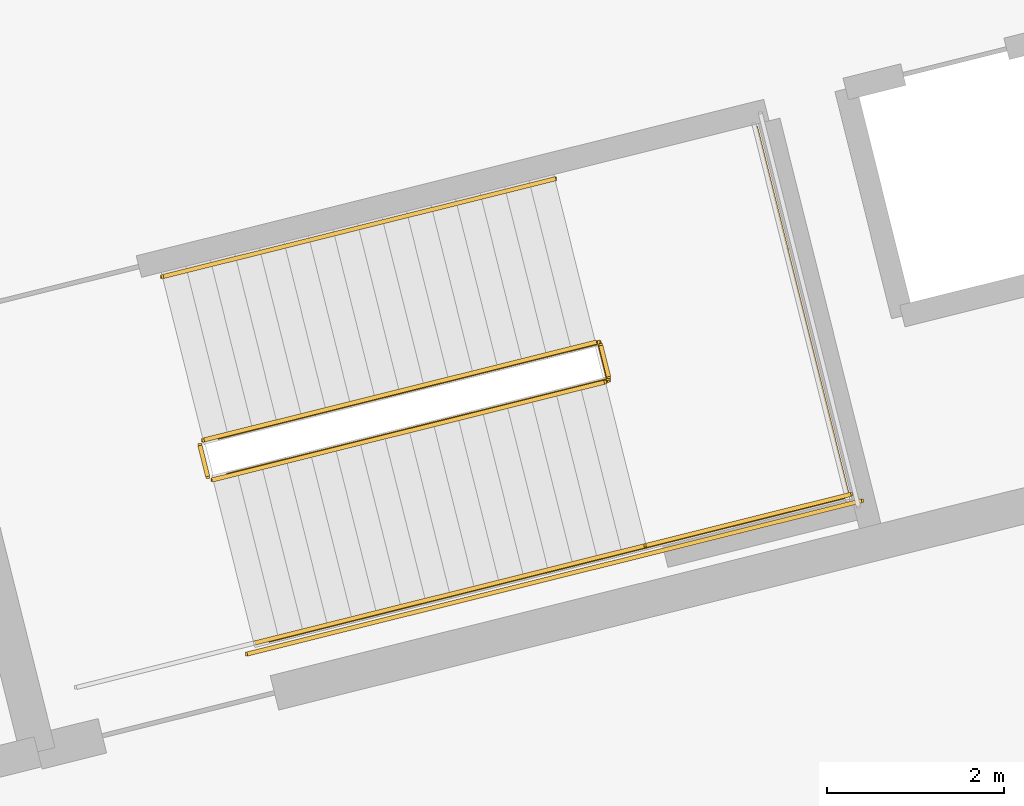
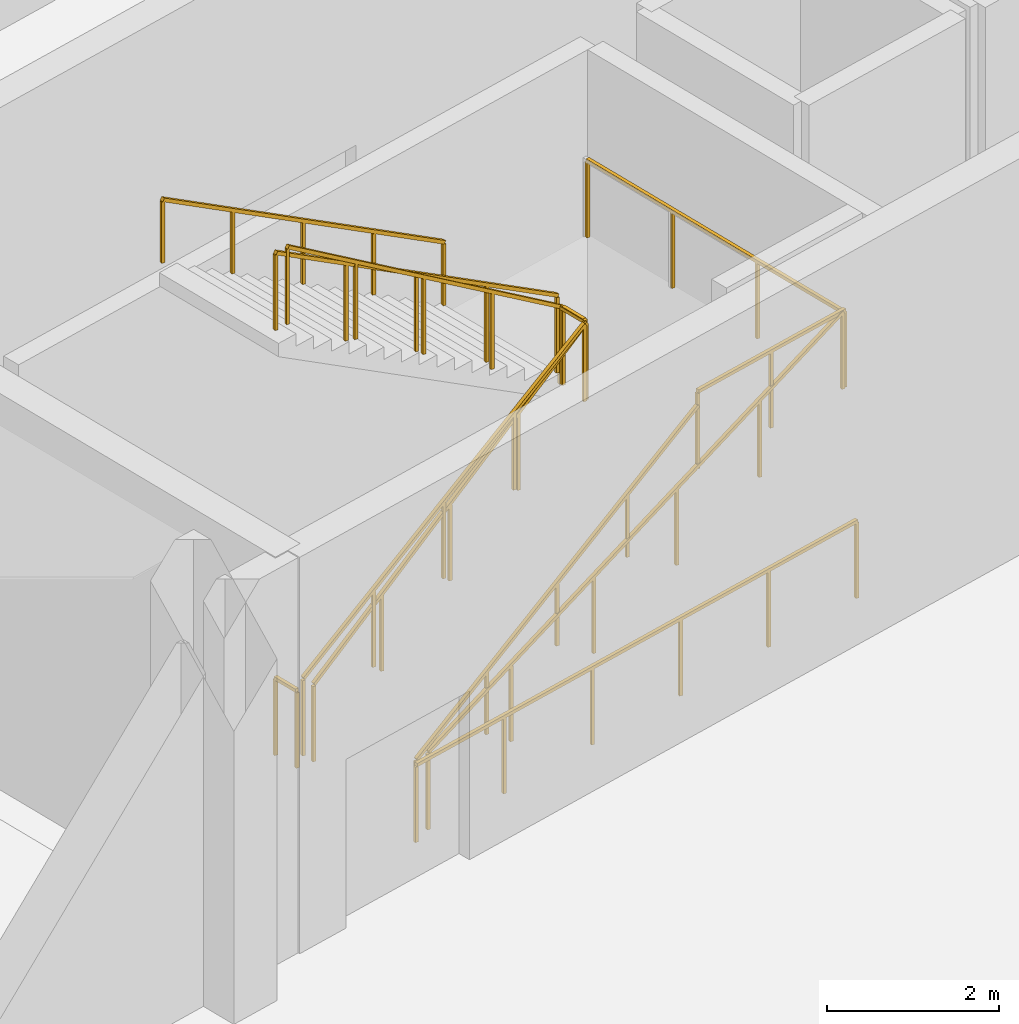
# One storey, part 155 of 163: 10 railings.
"""IFC4 building model written with IfcOpenShell, lengths in metres."""

from ifc_helpers import new_model, si_unit, direction, frame, origin, origin_2d, place, context, subcontext, project, spatial, rectangle, extrude, material, type_object, element, save


model = new_model("IFC4")

# Units and contexts
model_context = context("Model", 3, precision=1e-05, world=origin(), true_north=direction((0.0, 1.0)))
body_context = subcontext(model_context, "Body", "Model", "MODEL_VIEW")
ifc_project = project(units=[si_unit("LENGTHUNIT", "METRE"), si_unit("AREAUNIT", "SQUARE_METRE"), si_unit("VOLUMEUNIT", "CUBIC_METRE"), si_unit("PLANEANGLEUNIT", "RADIAN"), si_unit("MASSUNIT", "GRAM", prefix="KILO")], contexts=[model_context])

# Site, building, storey
site_placement = place(None, origin())
site = spatial("IfcSite", under=ifc_project, at=site_placement, CompositionType="ELEMENT")
building_placement = place(site_placement, origin())
building = spatial("IfcBuilding", under=site, at=building_placement, Name="Khorjan Park Terminus", CompositionType="ELEMENT")
storey_placement = place(building_placement, origin())
storey = spatial("IfcBuildingStorey", under=building, at=storey_placement, Name="L00", CompositionType="ELEMENT", Elevation=0.0)

# Railings
ifc_material = material(Name="Steel S355", Category="steel")
railing_type_1 = type_object("IfcRailingType", Name="GR-112", PredefinedType="GUARDRAIL", material=ifc_material)
railing_1_placement = place(storey_placement, frame((179.8138, 8.0206, 0.1765)))
element("IfcRailing", 1, at=railing_1_placement, inside=storey, type_object=railing_type_1, Name="L00 ST-03 stair guard 1", PredefinedType="GUARDRAIL", context=body_context, shape_type="SweptSolid", body=[
    extrude(rectangle(XDim=0.048, YDim=0.048, at=origin_2d()), frame((0.0, 0.0, 1.096), z_axis=(0.824952551277, 0.205692768577, 0.526444463449), x_axis=(-0.24193185783, 0.970293242359, 0.0)), (0.0, 0.0, 1.0), 5.3633),
    extrude(rectangle(XDim=0.042, YDim=0.042, at=origin_2d()), origin(), (0.0, 0.0, 1.0), 1.072),
    extrude(rectangle(XDim=0.042, YDim=0.042, at=origin_2d()), frame((1.1061, 0.2758, 0.7059)), (0.0, 0.0, 1.0), 1.072),
    extrude(rectangle(XDim=0.042, YDim=0.042, at=origin_2d()), frame((2.2123, 0.5516, 1.4118)), (0.0, 0.0, 1.0), 1.072),
    extrude(rectangle(XDim=0.042, YDim=0.042, at=origin_2d()), frame((3.3184, 0.8274, 2.1176)), (0.0, 0.0, 1.0), 1.072),
    extrude(rectangle(XDim=0.042, YDim=0.042, at=origin_2d()), frame((4.4245, 1.1032, 2.8235)), (0.0, 0.0, 1.0), 1.072),
])
railing_2_placement = place(storey_placement, frame((184.2747, 9.1844, 3.0)))
element("IfcRailing", 2, at=railing_2_placement, inside=storey, type_object=railing_type_1, Name="L00 ST-03 stair guard 2", PredefinedType="GUARDRAIL", context=body_context, shape_type="SweptSolid", body=[
    extrude(rectangle(XDim=0.048, YDim=0.048, at=origin_2d()), frame((0.0, 0.0, 1.096), z_axis=(-0.241947338122, 0.970289382388, 0.0), x_axis=(-0.970289382388, -0.241947338122, 0.0)), (0.0, 0.0, 1.0), 0.36),
    extrude(rectangle(XDim=0.042, YDim=0.042, at=origin_2d()), origin(), (0.0, 0.0, 1.0), 1.072),
    extrude(rectangle(XDim=0.042, YDim=0.042, at=origin_2d()), frame((-0.0871, 0.3493, 0.0)), (0.0, 0.0, 1.0), 1.072),
])
railing_3_placement = place(storey_placement, frame((184.698, 7.2802, 3.0)))
element("IfcRailing", 3, at=railing_3_placement, inside=storey, type_object=railing_type_1, Name="L00 ST-03 stair guard 3", PredefinedType="GUARDRAIL", context=body_context, shape_type="SweptSolid", body=[
    extrude(rectangle(XDim=0.048, YDim=0.048, at=origin_2d()), frame((0.0, 0.0, 1.096), z_axis=(0.970293078733, 0.241932514067, 0.0), x_axis=(-0.241932514067, 0.970293078733, 0.0)), (0.0, 0.0, 1.0), 2.38),
    extrude(rectangle(XDim=0.042, YDim=0.042, at=origin_2d()), origin(), (0.0, 0.0, 1.0), 1.072),
    extrude(rectangle(XDim=0.042, YDim=0.042, at=origin_2d()), frame((1.1546, 0.2879, 0.0)), (0.0, 0.0, 1.0), 1.072),
    extrude(rectangle(XDim=0.042, YDim=0.042, at=origin_2d()), frame((2.3093, 0.5758, 0.0)), (0.0, 0.0, 1.0), 1.072),
])
railing_4_placement = place(storey_placement, frame((184.127, 9.5701, 3.1765)))
element("IfcRailing", 4, at=railing_4_placement, inside=storey, type_object=railing_type_1, Name="L00 ST-03 stair guard 5", PredefinedType="GUARDRAIL", context=body_context, shape_type="SweptSolid", body=[
    extrude(rectangle(XDim=0.048, YDim=0.048, at=origin_2d()), frame((0.0, 0.0, 1.096), z_axis=(-0.824955714979, -0.205674912237, 0.52644648237), x_axis=(0.241911211243, -0.970298390123, 0.0)), (0.0, 0.0, 1.0), 5.3633),
    extrude(rectangle(XDim=0.042, YDim=0.042, at=origin_2d()), origin(), (0.0, 0.0, 1.0), 1.072),
    extrude(rectangle(XDim=0.042, YDim=0.042, at=origin_2d()), frame((-1.1061, -0.2758, 0.7059)), (0.0, 0.0, 1.0), 1.072),
    extrude(rectangle(XDim=0.042, YDim=0.042, at=origin_2d()), frame((-2.2123, -0.5515, 1.4118)), (0.0, 0.0, 1.0), 1.072),
    extrude(rectangle(XDim=0.042, YDim=0.042, at=origin_2d()), frame((-3.3184, -0.8273, 2.1176)), (0.0, 0.0, 1.0), 1.072),
    extrude(rectangle(XDim=0.042, YDim=0.042, at=origin_2d()), frame((-4.4245, -1.1031, 2.8235)), (0.0, 0.0, 1.0), 1.072),
])
railing_5_placement = place(storey_placement, frame((179.7532, 8.0571, 0.0)))
element("IfcRailing", 5, at=railing_5_placement, inside=storey, type_object=railing_type_1, Name="L00 ST-03 stair guard 6", PredefinedType="GUARDRAIL", context=body_context, shape_type="SweptSolid", body=[
    extrude(rectangle(XDim=0.048, YDim=0.048, at=origin_2d()), frame((0.0, 0.0, 1.096), z_axis=(-0.241947338122, 0.970289382388, 0.0), x_axis=(-0.970289382388, -0.241947338122, 0.0)), (0.0, 0.0, 1.0), 0.36),
    extrude(rectangle(XDim=0.042, YDim=0.042, at=origin_2d()), origin(), (0.0, 0.0, 1.0), 1.072),
    extrude(rectangle(XDim=0.042, YDim=0.042, at=origin_2d()), frame((-0.0871, 0.3493, 0.0)), (0.0, 0.0, 1.0), 1.072),
])
railing_6_placement = place(storey_placement, frame((180.2006, 6.0559, 0.0)))
element("IfcRailing", 6, at=railing_6_placement, inside=storey, type_object=railing_type_1, Name="L00 ST-03 stair guard 8", PredefinedType="GUARDRAIL", context=body_context, shape_type="SweptSolid", body=[
    extrude(rectangle(XDim=0.048, YDim=0.048, at=origin_2d()), frame((0.0, 0.0, 1.096), z_axis=(0.970296366402, 0.241919328178, 0.0), x_axis=(-0.241919328178, 0.970296366402, 0.0)), (0.0, 0.0, 1.0), 7.14),
    extrude(rectangle(XDim=0.042, YDim=0.042, at=origin_2d()), origin(), (0.0, 0.0, 1.0), 1.072),
    extrude(rectangle(XDim=0.042, YDim=0.042, at=origin_2d()), frame((1.3856, 0.3455, 0.0)), (0.0, 0.0, 1.0), 1.072),
    extrude(rectangle(XDim=0.042, YDim=0.042, at=origin_2d()), frame((2.7712, 0.6909, 0.0)), (0.0, 0.0, 1.0), 1.072),
    extrude(rectangle(XDim=0.042, YDim=0.042, at=origin_2d()), frame((4.1567, 1.0364, 0.0)), (0.0, 0.0, 1.0), 1.072),
    extrude(rectangle(XDim=0.042, YDim=0.042, at=origin_2d()), frame((5.5423, 1.3818, 0.0)), (0.0, 0.0, 1.0), 1.072),
    extrude(rectangle(XDim=0.042, YDim=0.042, at=origin_2d()), frame((6.9279, 1.7273, 0.0)), (0.0, 0.0, 1.0), 1.072),
])
railing_7_placement = place(storey_placement, frame((179.986, 8.0739, 0.0)))
element("IfcRailing", 7, at=railing_7_placement, inside=storey, type_object=railing_type_1, Name="Core K3 stair well slot guard GR-112 (L00)", PredefinedType="GUARDRAIL", context=body_context, shape_type="SweptSolid", body=[
    extrude(rectangle(XDim=0.048, YDim=0.048, at=origin_2d()), frame((0.0, 0.0, 1.096), z_axis=(0.802835291081, 0.200170629037, 0.561593460313), x_axis=(-0.241923385389, 0.970295354829, 0.0)), (0.0, 0.0, 1.0), 5.3419),
    extrude(rectangle(XDim=0.048, YDim=0.048, at=origin_2d()), frame((4.2887, 1.0693, 4.096), z_axis=(-0.241840311969, 0.970316063717, 0.0), x_axis=(-0.970316063717, -0.241840311969, 0.0)), (0.0, 0.0, 1.0), 0.44),
    extrude(rectangle(XDim=0.048, YDim=0.048, at=origin_2d()), frame((4.1823, 1.4962, 4.096), z_axis=(-0.80284194498, -0.200167620725, 0.561585020272), x_axis=(0.2419180747, -0.970296678925, 0.0)), (0.0, 0.0, 1.0), 5.342),
    extrude(rectangle(XDim=0.042, YDim=0.042, at=origin_2d()), origin(), (0.0, 0.0, 1.0), 1.072),
    extrude(rectangle(XDim=0.042, YDim=0.042, at=origin_2d()), frame((1.0722, 0.2673, 0.75)), (0.0, 0.0, 1.0), 1.072),
    extrude(rectangle(XDim=0.042, YDim=0.042, at=origin_2d()), frame((2.1444, 0.5347, 1.5)), (0.0, 0.0, 1.0), 1.072),
    extrude(rectangle(XDim=0.042, YDim=0.042, at=origin_2d()), frame((3.2165, 0.802, 2.25)), (0.0, 0.0, 1.0), 1.072),
    extrude(rectangle(XDim=0.042, YDim=0.042, at=origin_2d()), frame((4.2887, 1.0693, 3.0)), (0.0, 0.0, 1.0), 1.072),
    extrude(rectangle(XDim=0.042, YDim=0.042, at=origin_2d()), frame((4.1823, 1.4962, 3.0)), (0.0, 0.0, 1.0), 1.072),
    extrude(rectangle(XDim=0.042, YDim=0.042, at=origin_2d()), frame((3.1101, 1.2289, 3.75)), (0.0, 0.0, 1.0), 1.072),
    extrude(rectangle(XDim=0.042, YDim=0.042, at=origin_2d()), frame((2.0379, 0.9615, 4.5)), (0.0, 0.0, 1.0), 1.072),
    extrude(rectangle(XDim=0.042, YDim=0.042, at=origin_2d()), frame((0.9657, 0.6942, 5.25)), (0.0, 0.0, 1.0), 1.072),
    extrude(rectangle(XDim=0.042, YDim=0.042, at=origin_2d()), frame((-0.1065, 0.4269, 6.0)), (0.0, 0.0, 1.0), 1.072),
])
railing_8_placement = place(storey_placement, frame((180.4505, 6.2109, 0.0)))
element("IfcRailing", 8, at=railing_8_placement, inside=storey, type_object=railing_type_1, Name="Core K3 stair side & landing guard GR-112 (L00)", PredefinedType="GUARDRAIL", context=body_context, shape_type="SweptSolid", body=[
    extrude(rectangle(XDim=0.048, YDim=0.048, at=origin_2d()), frame((0.0, 0.0, 1.096), z_axis=(0.886014559013, 0.220905752498, 0.407650401362), x_axis=(-0.241919330403, 0.970296365848, 0.0)), (0.0, 0.0, 1.0), 7.3592),
    extrude(rectangle(XDim=0.048, YDim=0.048, at=origin_2d()), frame((6.5204, 1.6257, 4.096), z_axis=(-0.2419363556, 0.970292120879, 0.0), x_axis=(-0.970292120879, -0.2419363556, 0.0)), (0.0, 0.0, 1.0), 4.2801),
    extrude(rectangle(XDim=0.042, YDim=0.042, at=origin_2d()), origin(), (0.0, 0.0, 1.0), 1.072),
    extrude(rectangle(XDim=0.042, YDim=0.042, at=origin_2d()), frame((1.3041, 0.3251, 0.6)), (0.0, 0.0, 1.0), 1.072),
    extrude(rectangle(XDim=0.042, YDim=0.042, at=origin_2d()), frame((2.6082, 0.6503, 1.2)), (0.0, 0.0, 1.0), 1.072),
    extrude(rectangle(XDim=0.042, YDim=0.042, at=origin_2d()), frame((3.9122, 0.9754, 1.8)), (0.0, 0.0, 1.0), 1.072),
    extrude(rectangle(XDim=0.042, YDim=0.042, at=origin_2d()), frame((5.2163, 1.3006, 2.4)), (0.0, 0.0, 1.0), 1.072),
    extrude(rectangle(XDim=0.042, YDim=0.042, at=origin_2d()), frame((6.5204, 1.6257, 3.0)), (0.0, 0.0, 1.0), 1.072),
    extrude(rectangle(XDim=0.042, YDim=0.042, at=origin_2d()), frame((6.1752, 3.01, 3.0)), (0.0, 0.0, 1.0), 1.072),
    extrude(rectangle(XDim=0.042, YDim=0.042, at=origin_2d()), frame((5.8301, 4.3943, 3.0)), (0.0, 0.0, 1.0), 1.072),
    extrude(rectangle(XDim=0.042, YDim=0.042, at=origin_2d()), frame((5.4849, 5.7786, 3.0)), (0.0, 0.0, 1.0), 1.072),
])
railing_type_2 = type_object("IfcRailingType", Name="HR-92", PredefinedType="HANDRAIL", material=ifc_material)
railing_9_placement = place(storey_placement, frame((180.2734, 6.1771, 0.1765)))
element("IfcRailing", 9, at=railing_9_placement, inside=storey, type_object=railing_type_2, Name="L00 ST-03 stair handrail 1", PredefinedType="HANDRAIL", context=body_context, shape_type="SweptSolid", body=[
    extrude(rectangle(XDim=0.048, YDim=0.048, at=origin_2d()), frame((0.0, 0.0, 0.896), z_axis=(0.824961671007, 0.205671748698, 0.526438384958), x_axis=(-0.241906063777, 0.970299673455, 0.0)), (0.0, 0.0, 1.0), 5.3634),
    extrude(rectangle(XDim=0.042, YDim=0.042, at=origin_2d()), origin(), (0.0, 0.0, 1.0), 0.872),
    extrude(rectangle(XDim=0.042, YDim=0.042, at=origin_2d()), frame((1.1061, 0.2758, 0.7059)), (0.0, 0.0, 1.0), 0.872),
    extrude(rectangle(XDim=0.042, YDim=0.042, at=origin_2d()), frame((2.2123, 0.5515, 1.4118)), (0.0, 0.0, 1.0), 0.872),
    extrude(rectangle(XDim=0.042, YDim=0.042, at=origin_2d()), frame((3.3184, 0.8273, 2.1176)), (0.0, 0.0, 1.0), 0.872),
    extrude(rectangle(XDim=0.042, YDim=0.042, at=origin_2d()), frame((4.4246, 1.1031, 2.8235)), (0.0, 0.0, 1.0), 0.872),
])
railing_10_placement = place(storey_placement, frame((183.6674, 11.4137, 3.1765)))
element("IfcRailing", 10, at=railing_10_placement, inside=storey, type_object=railing_type_2, Name="L00 ST-03 stair handrail 2", PredefinedType="HANDRAIL", context=body_context, shape_type="SweptSolid", body=[
    extrude(rectangle(XDim=0.048, YDim=0.048, at=origin_2d()), frame((0.0, 0.0, 0.896), z_axis=(-0.824958507379, -0.205689604787, 0.526436366131), x_axis=(0.24192670998, -0.970294525904, 0.0)), (0.0, 0.0, 1.0), 5.3634),
    extrude(rectangle(XDim=0.042, YDim=0.042, at=origin_2d()), origin(), (0.0, 0.0, 1.0), 0.872),
    extrude(rectangle(XDim=0.042, YDim=0.042, at=origin_2d()), frame((-1.1061, -0.2758, 0.7059)), (0.0, 0.0, 1.0), 0.872),
    extrude(rectangle(XDim=0.042, YDim=0.042, at=origin_2d()), frame((-2.2123, -0.5516, 1.4118)), (0.0, 0.0, 1.0), 0.872),
    extrude(rectangle(XDim=0.042, YDim=0.042, at=origin_2d()), frame((-3.3184, -0.8274, 2.1176)), (0.0, 0.0, 1.0), 0.872),
    extrude(rectangle(XDim=0.042, YDim=0.042, at=origin_2d()), frame((-4.4246, -1.1032, 2.8235)), (0.0, 0.0, 1.0), 0.872),
])

save(model, "model.ifc")
